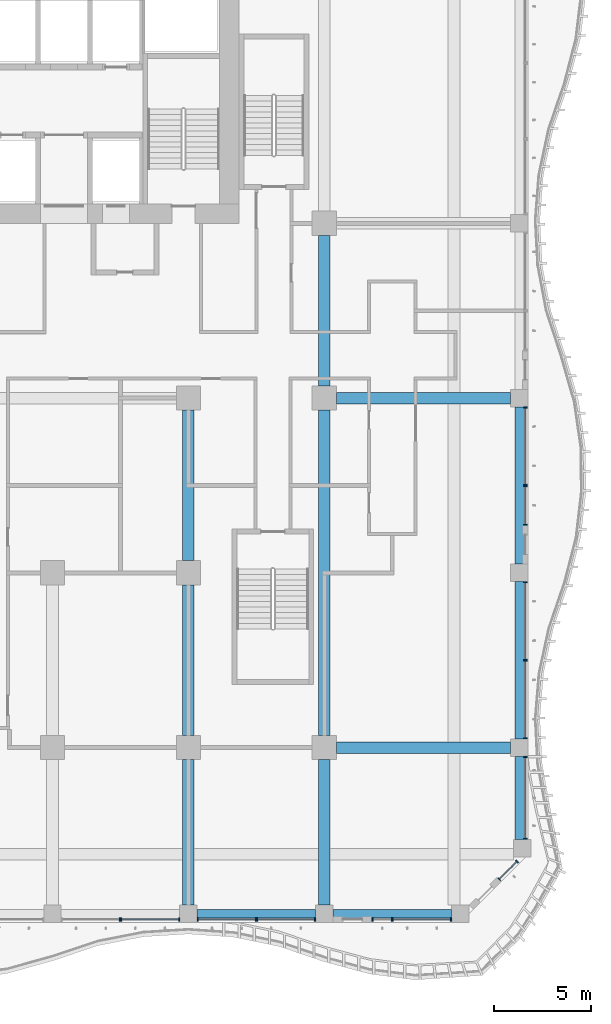
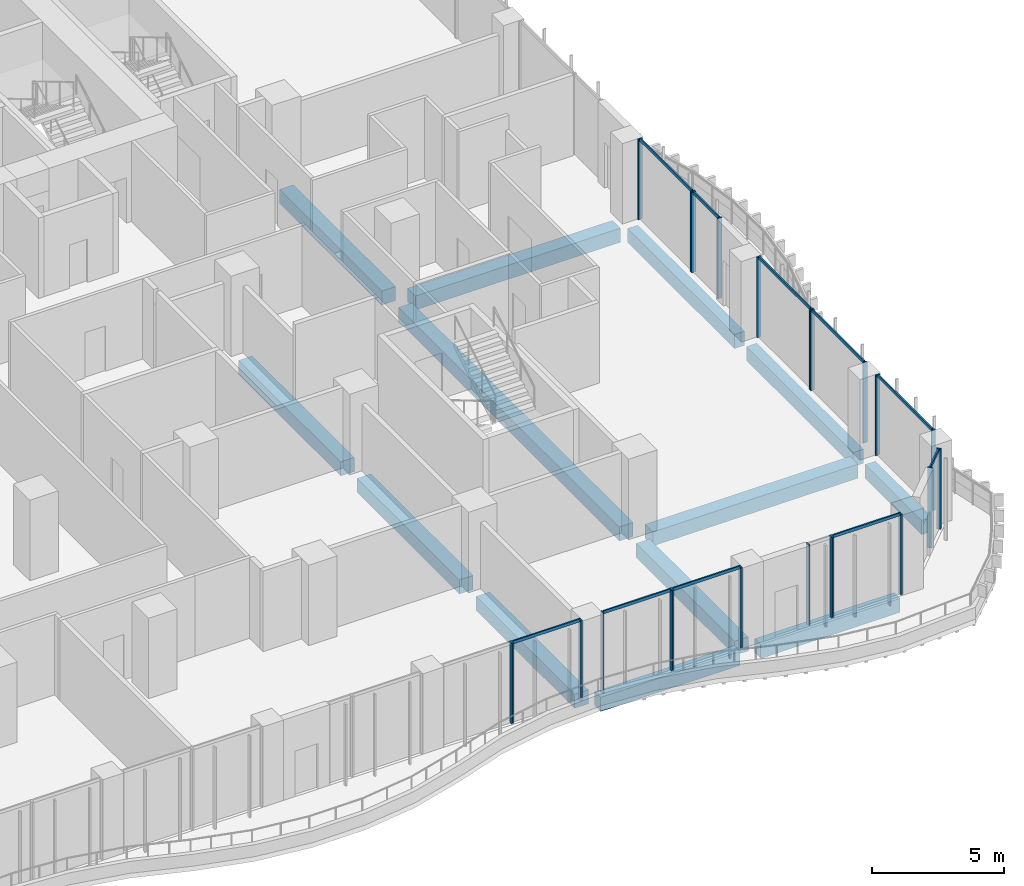
# One storey, part 6 of 28: 33 members, 13 beams, 12 elements without a shape of their own.
"""IFC4 building model written with IfcOpenShell, lengths in metres."""

import ifcopenshell
import ifcopenshell.guid

model = None  # the IFC model being written
_history = None  # IfcOwnerHistory: only IFC2X3 demands one
_inside = {}  # id of a spatial element -> (the spatial element, [elements in it])
_under = {}  # id of a project, library or spatial element -> (it, [spatial elements below it])
_declared = {}  # id of a project -> (the project, [libraries it declares])
_typed = {}  # id of a type object -> (the type object, [elements of that type])
_made_of = {}  # id of a material, layer set ... -> (it, [elements and type objects made of it])


def new_model(schema):
    """Start an empty IFC model of exactly this schema.

    Asked for "IFC4X3", IfcOpenShell would pick the latest addendum, in which some entities
    have other attributes; the version numbers below select the first issue.
    IFC2X3 requires an IfcOwnerHistory on every rooted entity: one is made here for all.
    """
    global model, _history
    if schema == "IFC4X3":
        model = ifcopenshell.file(schema_version=(4, 3, 0, 0))
    else:
        model = ifcopenshell.file(schema=schema)
    _inside.clear()
    _under.clear()
    _declared.clear()
    _typed.clear()
    _made_of.clear()
    _history = None
    if model.schema == "IFC2X3":
        org = make("IfcOrganization", Name="unknown")
        user = make(
            "IfcPersonAndOrganization",
            ThePerson=make("IfcPerson", FamilyName="unknown"),
            TheOrganization=org,
        )
        app = make(
            "IfcApplication",
            ApplicationDeveloper=org,
            Version="unknown",
            ApplicationFullName="unknown",
            ApplicationIdentifier="unknown",
        )
        _history = make(
            "IfcOwnerHistory",
            OwningUser=user,
            OwningApplication=app,
            ChangeAction="ADDED",
            CreationDate=0,
        )
    return model


def make(cls, **values):
    """One entity of the class cls with the attributes given. An attribute that is None is left unset."""
    return model.create_entity(
        cls, **{name: value for name, value in values.items() if value is not None}
    )


def rooted(cls, **values):
    """An entity with a GlobalId (a new one), such as an element, a storey or a relation."""
    return make(cls, GlobalId=ifcopenshell.guid.new(), OwnerHistory=_history, **values)


def si_unit(unit_type, name, prefix=None):
    """IfcSIUnit, for example si_unit("LENGTHUNIT", "METRE", prefix="MILLI")."""
    return make("IfcSIUnit", UnitType=unit_type, Prefix=prefix, Name=name)


def assignment(units):
    """IfcUnitAssignment: the units of a project."""
    return None if units is None else make("IfcUnitAssignment", Units=units)


def point(xyz):
    """IfcCartesianPoint."""
    return None if xyz is None else make("IfcCartesianPoint", Coordinates=xyz)


def direction(xyz):
    """IfcDirection."""
    return None if xyz is None else make("IfcDirection", DirectionRatios=xyz)


def frame(location, z_axis=None, x_axis=None):
    """IfcAxis2Placement3D, a coordinate frame: its origin and axes. An axis left out is left unset."""
    return make(
        "IfcAxis2Placement3D",
        Location=point(location),
        Axis=direction(z_axis),
        RefDirection=direction(x_axis),
    )


def frame_2d(location, x_axis=None):
    """IfcAxis2Placement2D, a coordinate frame in the plane: its origin and x axis."""
    return make(
        "IfcAxis2Placement2D", Location=point(location), RefDirection=direction(x_axis)
    )


def origin():
    """The frame at (0, 0, 0) with its axes left unset."""
    return frame((0.0, 0.0, 0.0))


def origin_2d():
    """The frame at (0, 0) in the plane with its x axis left unset."""
    return frame_2d((0.0, 0.0))


def place(relative_to, where):
    """IfcLocalPlacement: puts the frame where relative to a parent placement (None: the world)."""
    return make(
        "IfcLocalPlacement", PlacementRelTo=relative_to, RelativePlacement=where
    )


def context(
    kind, dimensions, precision=None, world=None, true_north=None, identifier=None
):
    """IfcGeometricRepresentationContext, for example the 3D "Model" context."""
    return make(
        "IfcGeometricRepresentationContext",
        ContextIdentifier=identifier,
        ContextType=kind,
        CoordinateSpaceDimension=dimensions,
        Precision=precision,
        WorldCoordinateSystem=world,
        TrueNorth=true_north,
    )


def subcontext(parent, identifier, kind, view, scale=None):
    """IfcGeometricRepresentationSubContext, for example "Body" below "Model"."""
    return make(
        "IfcGeometricRepresentationSubContext",
        ContextIdentifier=identifier,
        ContextType=kind,
        ParentContext=parent,
        TargetScale=scale,
        TargetView=view,
    )


def project(units=None, contexts=None):
    """IfcProject with its units and contexts."""
    return rooted(
        "IfcProject",
        Name="project",
        RepresentationContexts=contexts,
        UnitsInContext=assignment(units),
    )


def spatial(cls, under=None, at=None, **own):
    """A site, building, storey or space (cls), placed at a placement, below another one or the project."""
    s = rooted(cls, ObjectPlacement=at, **own)
    if under is not None:
        _under.setdefault(under.id(), (under, []))[1].append(s)
    return s


def profile(cls, at=None, kind="AREA", **sizes):
    """A parametric profile (cls). Its sizes go by their IFC names, for example OverallWidth=200.0."""
    return make(cls, ProfileType=kind, Position=at, **sizes)


def rectangle(**sizes):
    """IfcRectangleProfileDef."""
    return profile("IfcRectangleProfileDef", **sizes)


def extrude(swept, where, along, depth):
    """IfcExtrudedAreaSolid: the profile swept, set in the frame where, extruded along a direction by depth."""
    return make(
        "IfcExtrudedAreaSolid",
        SweptArea=swept,
        Position=where,
        ExtrudedDirection=direction(along),
        Depth=depth,
    )


def shape(context_of_items, identifier, shape_type, items):
    """IfcShapeRepresentation: the items that make up one representation, for example the "Body"."""
    return make(
        "IfcShapeRepresentation",
        ContextOfItems=context_of_items,
        RepresentationIdentifier=identifier,
        RepresentationType=shape_type,
        Items=items,
    )


def source(mapping_origin, context_of_items, identifier, shape_type, items):
    """IfcRepresentationMap: a shape defined once, which mapped items show again and again."""
    return make(
        "IfcRepresentationMap",
        MappingOrigin=mapping_origin,
        MappedRepresentation=shape(context_of_items, identifier, shape_type, items),
    )


def transform(
    local_origin,
    x_axis=None,
    y_axis=None,
    z_axis=None,
    scale=None,
    scale2=None,
    scale3=None,
    uniform=True,
):
    """IfcCartesianTransformationOperator3D, or its non-uniform kind. x_axis, y_axis, z_axis: its Axis1, 2, 3."""
    if uniform:
        return make(
            "IfcCartesianTransformationOperator3D",
            Axis1=direction(x_axis),
            Axis2=direction(y_axis),
            LocalOrigin=point(local_origin),
            Scale=scale,
            Axis3=direction(z_axis),
        )
    return make(
        "IfcCartesianTransformationOperator3DnonUniform",
        Axis1=direction(x_axis),
        Axis2=direction(y_axis),
        LocalOrigin=point(local_origin),
        Scale=scale,
        Axis3=direction(z_axis),
        Scale2=scale2,
        Scale3=scale3,
    )


def mapped(mapping_source, mapping_target):
    """IfcMappedItem: shows the shape of a source again, moved by a transform."""
    return make(
        "IfcMappedItem", MappingSource=mapping_source, MappingTarget=mapping_target
    )


def material(Name=None, Category=None):
    """IfcMaterial."""
    return make("IfcMaterial", Name=Name, Category=Category)


def material_profile(
    of_material, cross_section, Name=None, Category=None, Priority=None
):
    """IfcMaterialProfile: a cross section and its material."""
    return make(
        "IfcMaterialProfile",
        Name=Name,
        Material=of_material,
        Profile=cross_section,
        Priority=Priority,
        Category=Category,
    )


def profile_set(profiles, Name=None, composite=None):
    """IfcMaterialProfileSet."""
    return make(
        "IfcMaterialProfileSet",
        Name=Name,
        MaterialProfiles=profiles,
        CompositeProfile=composite,
    )


def made_of(thing, what):
    """Note that an element or type object is made of a material, layer set ...; save() writes the relation."""
    if what is not None:
        _made_of.setdefault(what.id(), (what, []))[1].append(thing)
    return thing


def type_object(cls, material=None, **own):
    """A type object (cls), such as IfcWallType, which elements share."""
    return made_of(rooted(cls, **own), material)


def element(
    cls,
    number,
    at=None,
    inside=None,
    cuts=None,
    type_object=None,
    material=None,
    context=None,
    identifier="Body",
    shape_type=None,
    held_by="IfcProductDefinitionShape",
    body=None,
    shapes=None,
    **own,
):
    """One element of the class cls, such as IfcWall. Its Tag is "e" and its number.

    at: its placement. inside: the storey or other place that contains it. cuts: it is an
    opening in that element (IfcRelVoidsElement). A single representation is given by context,
    identifier, shape_type and body (its items); several are given by shapes. held_by: the class
    of the entity that holds the representations. save() writes the other relations.
    """
    e = rooted(cls, Tag="e%d" % number, ObjectPlacement=at, **own)
    if body is not None:
        shapes = [shape(context, identifier, shape_type, body)]
    if shapes is not None:
        e.Representation = make(held_by, Representations=shapes)
    if inside is not None:
        _inside.setdefault(inside.id(), (inside, []))[1].append(e)
    if cuts is not None:
        rooted(
            "IfcRelVoidsElement", RelatingBuildingElement=cuts, RelatedOpeningElement=e
        )
    if type_object is not None:
        _typed.setdefault(type_object.id(), (type_object, []))[1].append(e)
    return made_of(e, material)


def aggregate(whole, parts):
    """IfcRelAggregates: a whole, such as a stair, and the parts it consists of."""
    return rooted("IfcRelAggregates", RelatingObject=whole, RelatedObjects=parts)


def save(model, path):
    """Write the relations noted so far, then the file.

    IfcRelAggregates (storeys below a building ...), IfcRelContainedInSpatialStructure (elements
    in a storey), IfcRelDefinesByType, IfcRelAssociatesMaterial and IfcRelDeclares: one each for
    every whole, place, type object, material and project.
    """
    for whole, parts in _under.values():
        aggregate(whole, parts)
    for where, things in _inside.values():
        rooted(
            "IfcRelContainedInSpatialStructure",
            RelatedElements=things,
            RelatingStructure=where,
        )
    for kind, things in _typed.values():
        rooted("IfcRelDefinesByType", RelatedObjects=things, RelatingType=kind)
    for what, things in _made_of.values():
        rooted("IfcRelAssociatesMaterial", RelatedObjects=things, RelatingMaterial=what)
    for by, libraries in _declared.values():
        rooted("IfcRelDeclares", RelatingContext=by, RelatedDefinitions=libraries)
    model.write(path)


model = new_model("IFC4")

# Units and contexts
model_context = context("Model", 3, precision=1e-05, world=origin(), true_north=direction((0.0, 1.0)))
body_context = subcontext(model_context, "Body", "Model", "MODEL_VIEW")
ifc_project = project(units=[si_unit("LENGTHUNIT", "METRE"), si_unit("AREAUNIT", "SQUARE_METRE"), si_unit("VOLUMEUNIT", "CUBIC_METRE"), si_unit("PLANEANGLEUNIT", "RADIAN"), si_unit("MASSUNIT", "GRAM", prefix="KILO")], contexts=[model_context])

# Site, building, storey
site_placement = place(None, origin())
site = spatial("IfcSite", under=ifc_project, at=site_placement, CompositionType="ELEMENT")
building_placement = place(site_placement, origin())
building = spatial("IfcBuilding", under=site, at=building_placement, Name="Kilnfold Tower and Market Hall", CompositionType="ELEMENT")
storey_placement = place(building_placement, frame((0.0, 0.0, 87.199951171875)))
storey = spatial("IfcBuildingStorey", under=building, at=storey_placement, Name="L20", CompositionType="ELEMENT", Elevation=87.199951171875)

# Beams
ifc_material_1 = material(Name="Concrete C45", Category="concrete")
ifc_material_profile_1 = material_profile(ifc_material_1, rectangle(XDim=0.449951171875, YDim=0.64990234375, at=origin_2d()), Name="RC 450x650")
ifc_profile_set_1 = profile_set([ifc_material_profile_1], Name="Concrete C45")
beam_type_1 = type_object("IfcBeamType", Name="EDGE BEAM 450X650 C45", PredefinedType="BEAM", material=ifc_profile_set_1)
shared_shape_1 = source(origin(), body_context, "Body", "SweptSolid", [
    extrude(rectangle(XDim=0.449951171875, YDim=0.64990234375, at=origin_2d()), origin(), (0.0, 0.0, 1.0), 6.10009765625),
])
for number, where, z_axis, x_axis, name in (
    (1, (15.949951171875, -27.550048828125, -0.60498046875), (1.0, 0.0, 0.0), (0.0, 1.0, 0.0), "Beam EB650-B2.65"),
    (2, (22.949951171875, -27.550048828125, -0.60498046875), (1.0, 0.0, 0.0), (0.0, 1.0, 0.0), "Beam EB650-B2.66"),
):
    element("IfcBeam", number, at=place(storey_placement, frame(where, z_axis=z_axis, x_axis=x_axis)), inside=storey, type_object=beam_type_1, Name=name, PredefinedType="BEAM", context=body_context, shape_type="MappedRepresentation", body=[
        mapped(shared_shape_1, transform((0.0, 0.0, 0.0))),
    ])
shared_shape_2 = source(origin(), body_context, "Body", "SweptSolid", [
    extrude(rectangle(XDim=0.449951171875, YDim=0.64990234375, at=origin_2d()), origin(), (0.0, 0.0, 1.0), 8.10009765625),
])
for number, where, z_axis, x_axis, name in (
    (3, (32.550048828125, -18.550048828125, -0.60498046875), (0.0, 1.0, 0.0), (-1.0, 0.0, 0.0), "Beam EB650-B2.100"),
    (4, (32.550048828125, -9.550048828125, -0.60498046875), (0.0, 1.0, 0.0), (-1.0, 0.0, 0.0), "Beam EB650-B2.101"),
):
    element("IfcBeam", number, at=place(storey_placement, frame(where, z_axis=z_axis, x_axis=x_axis)), inside=storey, type_object=beam_type_1, Name=name, PredefinedType="BEAM", context=body_context, shape_type="MappedRepresentation", body=[
        mapped(shared_shape_2, transform((0.0, 0.0, 0.0))),
    ])
shared_shape_3 = source(origin(), body_context, "Body", "SweptSolid", [
    extrude(rectangle(XDim=0.449951171875, YDim=0.64990234375, at=origin_2d()), origin(), (0.0, 0.0, 1.0), 4.28173828125),
])
beam_1_placement = place(storey_placement, frame((32.550048828125, -23.731689453125, -0.60498046875), z_axis=(0.0, 1.0, 0.0), x_axis=(-1.0, 0.0, 0.0)))
element("IfcBeam", 5, at=beam_1_placement, inside=storey, type_object=beam_type_1, Name="Beam EB650-B2.99", PredefinedType="BEAM", context=body_context, shape_type="MappedRepresentation", body=[
    mapped(shared_shape_3, transform((0.0, 0.0, 0.0))),
])
ifc_material_2 = material(Name="Concrete C45", Category="concrete")
ifc_material_profile_2 = material_profile(ifc_material_2, rectangle(XDim=0.60009765625, YDim=0.64990234375, at=origin_2d()), Name="RC 600x650")
ifc_profile_set_2 = profile_set([ifc_material_profile_2], Name="Concrete C45")
beam_type_2 = type_object("IfcBeamType", Name="BEAM 600X650 C45", PredefinedType="BEAM", material=ifc_profile_set_2)
shared_shape_4 = source(origin(), body_context, "Body", "SweptSolid", [
    extrude(rectangle(XDim=0.60009765625, YDim=0.64990234375, at=origin_2d()), origin(), (0.0, 0.0, 1.0), 8.97509765625),
])
for number, where, z_axis, x_axis, name in (
    (6, (23.125, -19.0, -0.60498046875), (1.0, 0.0, 0.0), (0.0, 1.0, 0.0), "Beam BB650-B2.69"),
    (7, (23.125, -1.0, -0.60498046875), (1.0, 0.0, 0.0), (0.0, 1.0, 0.0), "Beam BB650-B2.72"),
):
    element("IfcBeam", number, at=place(storey_placement, frame(where, z_axis=z_axis, x_axis=x_axis)), inside=storey, type_object=beam_type_2, Name=name, PredefinedType="BEAM", context=body_context, shape_type="MappedRepresentation", body=[
        mapped(shared_shape_4, transform((0.0, 0.0, 0.0))),
    ])
shared_shape_5 = source(origin(), body_context, "Body", "SweptSolid", [
    extrude(rectangle(XDim=0.60009765625, YDim=0.64990234375, at=origin_2d()), origin(), (0.0, 0.0, 1.0), 7.47509765625),
])
for number, where, z_axis, x_axis, name in (
    (8, (15.5, -27.10009765625, -0.60498046875), (0.0, 1.0, 0.0), (-1.0, 0.0, 0.0), "Beam BB650-B2.91"),
    (9, (22.5, -27.10009765625, -0.60498046875), (0.0, 1.0, 0.0), (-1.0, 0.0, 0.0), "Beam BB650-B2.94"),
):
    element("IfcBeam", number, at=place(storey_placement, frame(where, z_axis=z_axis, x_axis=x_axis)), inside=storey, type_object=beam_type_2, Name=name, PredefinedType="BEAM", context=body_context, shape_type="MappedRepresentation", body=[
        mapped(shared_shape_5, transform((0.0, 0.0, 0.0))),
    ])
shared_shape_6 = source(origin(), body_context, "Body", "SweptSolid", [
    extrude(rectangle(XDim=0.60009765625, YDim=0.64990234375, at=origin_2d()), origin(), (0.0, 0.0, 1.0), 7.75),
])
for number, where, z_axis, x_axis, name in (
    (10, (15.5, -18.375, -0.60498046875), (0.0, 1.0, 0.0), (-1.0, 0.0, 0.0), "Beam BB650-B2.92"),
    (11, (15.5, -9.375, -0.60498046875), (0.0, 1.0, 0.0), (-1.0, 0.0, 0.0), "Beam BB650-B2.93"),
    (12, (22.5, -0.375, -0.60498046875), (0.0, 1.0, 0.0), (-1.0, 0.0, 0.0), "Beam BB650-B2.96"),
):
    element("IfcBeam", number, at=place(storey_placement, frame(where, z_axis=z_axis, x_axis=x_axis)), inside=storey, type_object=beam_type_2, Name=name, PredefinedType="BEAM", context=body_context, shape_type="MappedRepresentation", body=[
        mapped(shared_shape_6, transform((0.0, 0.0, 0.0))),
    ])
shared_shape_7 = source(origin(), body_context, "Body", "SweptSolid", [
    extrude(rectangle(XDim=0.60009765625, YDim=0.64990234375, at=origin_2d()), origin(), (0.0, 0.0, 1.0), 16.75),
])
beam_2_placement = place(storey_placement, frame((22.5, -18.375, -0.60498046875), z_axis=(0.0, 1.0, 0.0), x_axis=(-1.0, 0.0, 0.0)))
element("IfcBeam", 13, at=beam_2_placement, inside=storey, type_object=beam_type_2, Name="Beam BB650-B2.95", PredefinedType="BEAM", context=body_context, shape_type="MappedRepresentation", body=[
    mapped(shared_shape_7, transform((0.0, 0.0, 0.0))),
])

# Curtain wall, member
ifc_material_3 = material(Name="Aluminium and double glazing", Category="aluminium")
curtain_wall_type = type_object("IfcCurtainWallType", Name="CW OF1 VALLEY GLAZING", PredefinedType="NOTDEFINED", material=ifc_material_3)
curtain_wall_1_placement = place(storey_placement, origin())
curtain_wall_1 = element("IfcCurtainWall", 14, at=curtain_wall_1_placement, inside=storey, type_object=curtain_wall_type, Name="Curtain wall CW1 L20 S", PredefinedType="NOTDEFINED")
ifc_material_4 = material(Name="Aluminium", Category="aluminium")
ifc_material_profile_3 = material_profile(ifc_material_4, rectangle(XDim=0.06005859375, YDim=0.179931640625, at=origin_2d()), Name="MULLION 60x180")
ifc_profile_set_3 = profile_set([ifc_material_profile_3], Name="Aluminium")
member_type_1 = type_object("IfcMemberType", Name="MULLION 60X180", PredefinedType="MULLION", material=ifc_profile_set_3)
shared_shape_8 = source(origin(), body_context, "Body", "SweptSolid", [
    extrude(rectangle(XDim=0.06005859375, YDim=0.179931640625, at=origin_2d()), origin(), (0.0, 0.0, 1.0), 3.719970703125),
])
member_1_placement = place(storey_placement, frame((11.969970703125, -27.85009765625, 0.0), z_axis=(0.0, 0.0, 1.0), x_axis=(1.0, 0.0, 0.0)))
member_1 = element("IfcMember", 15, at=member_1_placement, type_object=member_type_1, Name="CW1 mullion 2", PredefinedType="MULLION", context=body_context, shape_type="MappedRepresentation", body=[
    mapped(shared_shape_8, transform((0.0, 0.0, 0.0))),
])
aggregate(curtain_wall_1, [member_1])

# Curtain wall, members
curtain_wall_2_placement = place(storey_placement, origin())
curtain_wall_2 = element("IfcCurtainWall", 16, at=curtain_wall_2_placement, inside=storey, type_object=curtain_wall_type, Name="Curtain wall CW1 L20 S", PredefinedType="NOTDEFINED")
member_2_placement = place(storey_placement, frame((12.030029296875, -27.85009765625, 0.0), z_axis=(0.0, 0.0, 1.0), x_axis=(1.0, 0.0, 0.0)))
member_2 = element("IfcMember", 17, at=member_2_placement, type_object=member_type_1, Name="CW1 mullion 1", PredefinedType="MULLION", context=body_context, shape_type="MappedRepresentation", body=[
    mapped(shared_shape_8, transform((0.0, 0.0, 0.0))),
])
member_3_placement = place(storey_placement, frame((15.02001953125, -27.85009765625, 0.0), z_axis=(0.0, 0.0, 1.0), x_axis=(1.0, 0.0, 0.0)))
member_3 = element("IfcMember", 18, at=member_3_placement, type_object=member_type_1, Name="CW1 mullion 2", PredefinedType="MULLION", context=body_context, shape_type="MappedRepresentation", body=[
    mapped(shared_shape_8, transform((0.0, 0.0, 0.0))),
])

curtain_wall_3_placement = place(storey_placement, origin())
curtain_wall_3 = element("IfcCurtainWall", 19, at=curtain_wall_3_placement, inside=storey, type_object=curtain_wall_type, Name="Curtain wall CW1 L20 S", PredefinedType="NOTDEFINED")
member_4_placement = place(storey_placement, frame((15.97998046875, -27.85009765625, 0.0), z_axis=(0.0, 0.0, 1.0), x_axis=(1.0, 0.0, 0.0)))
member_4 = element("IfcMember", 20, at=member_4_placement, type_object=member_type_1, Name="CW1 mullion 1", PredefinedType="MULLION", context=body_context, shape_type="MappedRepresentation", body=[
    mapped(shared_shape_8, transform((0.0, 0.0, 0.0))),
])
member_5_placement = place(storey_placement, frame((18.969970703125, -27.85009765625, 0.0), z_axis=(0.0, 0.0, 1.0), x_axis=(1.0, 0.0, 0.0)))
member_5 = element("IfcMember", 21, at=member_5_placement, type_object=member_type_1, Name="CW1 mullion 2", PredefinedType="MULLION", context=body_context, shape_type="MappedRepresentation", body=[
    mapped(shared_shape_8, transform((0.0, 0.0, 0.0))),
])

curtain_wall_4_placement = place(storey_placement, origin())
curtain_wall_4 = element("IfcCurtainWall", 22, at=curtain_wall_4_placement, inside=storey, type_object=curtain_wall_type, Name="Curtain wall CW1 L20 S", PredefinedType="NOTDEFINED")
member_6_placement = place(storey_placement, frame((19.030029296875, -27.85009765625, 0.0), z_axis=(0.0, 0.0, 1.0), x_axis=(1.0, 0.0, 0.0)))
member_6 = element("IfcMember", 23, at=member_6_placement, type_object=member_type_1, Name="CW1 mullion 1", PredefinedType="MULLION", context=body_context, shape_type="MappedRepresentation", body=[
    mapped(shared_shape_8, transform((0.0, 0.0, 0.0))),
])
member_7_placement = place(storey_placement, frame((22.02001953125, -27.85009765625, 0.0), z_axis=(0.0, 0.0, 1.0), x_axis=(1.0, 0.0, 0.0)))
member_7 = element("IfcMember", 24, at=member_7_placement, type_object=member_type_1, Name="CW1 mullion 2", PredefinedType="MULLION", context=body_context, shape_type="MappedRepresentation", body=[
    mapped(shared_shape_8, transform((0.0, 0.0, 0.0))),
])

curtain_wall_5_placement = place(storey_placement, origin())
curtain_wall_5 = element("IfcCurtainWall", 25, at=curtain_wall_5_placement, inside=storey, type_object=curtain_wall_type, Name="Curtain wall CW1 L20 S", PredefinedType="NOTDEFINED")
member_8_placement = place(storey_placement, frame((24.97998046875, -27.85009765625, 0.0), z_axis=(0.0, 0.0, 1.0), x_axis=(1.0, 0.0, 0.0)))
member_8 = element("IfcMember", 26, at=member_8_placement, type_object=member_type_1, Name="CW1 mullion 1", PredefinedType="MULLION", context=body_context, shape_type="MappedRepresentation", body=[
    mapped(shared_shape_8, transform((0.0, 0.0, 0.0))),
])
member_9_placement = place(storey_placement, frame((25.969970703125, -27.85009765625, 0.0), z_axis=(0.0, 0.0, 1.0), x_axis=(1.0, 0.0, 0.0)))
member_9 = element("IfcMember", 27, at=member_9_placement, type_object=member_type_1, Name="CW1 mullion 2", PredefinedType="MULLION", context=body_context, shape_type="MappedRepresentation", body=[
    mapped(shared_shape_8, transform((0.0, 0.0, 0.0))),
])
aggregate(curtain_wall_5, [member_8, member_9])

curtain_wall_6_placement = place(storey_placement, origin())
curtain_wall_6 = element("IfcCurtainWall", 28, at=curtain_wall_6_placement, inside=storey, type_object=curtain_wall_type, Name="Curtain wall CW1 L20 S", PredefinedType="NOTDEFINED")
member_10_placement = place(storey_placement, frame((26.030029296875, -27.85009765625, 0.0), z_axis=(0.0, 0.0, 1.0), x_axis=(1.0, 0.0, 0.0)))
member_10 = element("IfcMember", 29, at=member_10_placement, type_object=member_type_1, Name="CW1 mullion 1", PredefinedType="MULLION", context=body_context, shape_type="MappedRepresentation", body=[
    mapped(shared_shape_8, transform((0.0, 0.0, 0.0))),
])
member_11_placement = place(storey_placement, frame((29.02001953125, -27.85009765625, 0.0), z_axis=(0.0, 0.0, 1.0), x_axis=(1.0, 0.0, 0.0)))
member_11 = element("IfcMember", 30, at=member_11_placement, type_object=member_type_1, Name="CW1 mullion 2", PredefinedType="MULLION", context=body_context, shape_type="MappedRepresentation", body=[
    mapped(shared_shape_8, transform((0.0, 0.0, 0.0))),
])

curtain_wall_7_placement = place(storey_placement, origin())
curtain_wall_7 = element("IfcCurtainWall", 31, at=curtain_wall_7_placement, inside=storey, type_object=curtain_wall_type, Name="Curtain wall CW1 L20 SE", PredefinedType="NOTDEFINED")
member_12_placement = place(storey_placement, frame((31.50439453125, -25.783447265625, 0.0), z_axis=(0.0, 0.0, 1.0), x_axis=(0.707106781187, 0.707106781187, 0.0)))
member_12 = element("IfcMember", 32, at=member_12_placement, type_object=member_type_1, Name="CW1 mullion 1", PredefinedType="MULLION", context=body_context, shape_type="MappedRepresentation", body=[
    mapped(shared_shape_8, transform((0.0, 0.0, 0.0))),
])
member_13_placement = place(storey_placement, frame((32.4228515625, -24.865234375, 0.0), z_axis=(0.0, 0.0, 1.0), x_axis=(0.707106781187, 0.707106781187, 0.0)))
member_13 = element("IfcMember", 33, at=member_13_placement, type_object=member_type_1, Name="CW1 mullion 2", PredefinedType="MULLION", context=body_context, shape_type="MappedRepresentation", body=[
    mapped(shared_shape_8, transform((0.0, 0.0, 0.0))),
])

curtain_wall_8_placement = place(storey_placement, origin())
curtain_wall_8 = element("IfcCurtainWall", 34, at=curtain_wall_8_placement, inside=storey, type_object=curtain_wall_type, Name="Curtain wall CW1 L20 E", PredefinedType="NOTDEFINED")
member_14_placement = place(storey_placement, frame((32.85009765625, -23.701904296875, 0.0), z_axis=(0.0, 0.0, 1.0), x_axis=(0.0, 1.0, 0.0)))
member_14 = element("IfcMember", 35, at=member_14_placement, type_object=member_type_1, Name="CW1 mullion 1", PredefinedType="MULLION", context=body_context, shape_type="MappedRepresentation", body=[
    mapped(shared_shape_8, transform((0.0, 0.0, 0.0))),
])
member_15_placement = place(storey_placement, frame((32.85009765625, -19.47998046875, 0.0), z_axis=(0.0, 0.0, 1.0), x_axis=(0.0, 1.0, 0.0)))
member_15 = element("IfcMember", 36, at=member_15_placement, type_object=member_type_1, Name="CW1 mullion 2", PredefinedType="MULLION", context=body_context, shape_type="MappedRepresentation", body=[
    mapped(shared_shape_8, transform((0.0, 0.0, 0.0))),
])

curtain_wall_9_placement = place(storey_placement, origin())
curtain_wall_9 = element("IfcCurtainWall", 37, at=curtain_wall_9_placement, inside=storey, type_object=curtain_wall_type, Name="Curtain wall CW1 L20 E", PredefinedType="NOTDEFINED")
member_16_placement = place(storey_placement, frame((32.85009765625, -18.52001953125, 0.0), z_axis=(0.0, 0.0, 1.0), x_axis=(0.0, 1.0, 0.0)))
member_16 = element("IfcMember", 38, at=member_16_placement, type_object=member_type_1, Name="CW1 mullion 1", PredefinedType="MULLION", context=body_context, shape_type="MappedRepresentation", body=[
    mapped(shared_shape_8, transform((0.0, 0.0, 0.0))),
])
member_17_placement = place(storey_placement, frame((32.85009765625, -14.530029296875, 0.0), z_axis=(0.0, 0.0, 1.0), x_axis=(0.0, 1.0, 0.0)))
member_17 = element("IfcMember", 39, at=member_17_placement, type_object=member_type_1, Name="CW1 mullion 2", PredefinedType="MULLION", context=body_context, shape_type="MappedRepresentation", body=[
    mapped(shared_shape_8, transform((0.0, 0.0, 0.0))),
])

curtain_wall_10_placement = place(storey_placement, origin())
curtain_wall_10 = element("IfcCurtainWall", 40, at=curtain_wall_10_placement, inside=storey, type_object=curtain_wall_type, Name="Curtain wall CW1 L20 E", PredefinedType="NOTDEFINED")
member_18_placement = place(storey_placement, frame((32.85009765625, -14.469970703125, 0.0), z_axis=(0.0, 0.0, 1.0), x_axis=(0.0, 1.0, 0.0)))
member_18 = element("IfcMember", 41, at=member_18_placement, type_object=member_type_1, Name="CW1 mullion 1", PredefinedType="MULLION", context=body_context, shape_type="MappedRepresentation", body=[
    mapped(shared_shape_8, transform((0.0, 0.0, 0.0))),
])
member_19_placement = place(storey_placement, frame((32.85009765625, -10.47998046875, 0.0), z_axis=(0.0, 0.0, 1.0), x_axis=(0.0, 1.0, 0.0)))
member_19 = element("IfcMember", 42, at=member_19_placement, type_object=member_type_1, Name="CW1 mullion 2", PredefinedType="MULLION", context=body_context, shape_type="MappedRepresentation", body=[
    mapped(shared_shape_8, transform((0.0, 0.0, 0.0))),
])

curtain_wall_11_placement = place(storey_placement, origin())
curtain_wall_11 = element("IfcCurtainWall", 43, at=curtain_wall_11_placement, inside=storey, type_object=curtain_wall_type, Name="Curtain wall CW1 L20 E", PredefinedType="NOTDEFINED")
member_20_placement = place(storey_placement, frame((32.85009765625, -7.52001953125, 0.0), z_axis=(0.0, 0.0, 1.0), x_axis=(0.0, 1.0, 0.0)))
member_20 = element("IfcMember", 44, at=member_20_placement, type_object=member_type_1, Name="CW1 mullion 1", PredefinedType="MULLION", context=body_context, shape_type="MappedRepresentation", body=[
    mapped(shared_shape_8, transform((0.0, 0.0, 0.0))),
])
member_21_placement = place(storey_placement, frame((32.85009765625, -5.530029296875, 0.0), z_axis=(0.0, 0.0, 1.0), x_axis=(0.0, 1.0, 0.0)))
member_21 = element("IfcMember", 45, at=member_21_placement, type_object=member_type_1, Name="CW1 mullion 2", PredefinedType="MULLION", context=body_context, shape_type="MappedRepresentation", body=[
    mapped(shared_shape_8, transform((0.0, 0.0, 0.0))),
])

curtain_wall_12_placement = place(storey_placement, origin())
curtain_wall_12 = element("IfcCurtainWall", 46, at=curtain_wall_12_placement, inside=storey, type_object=curtain_wall_type, Name="Curtain wall CW1 L20 E", PredefinedType="NOTDEFINED")
member_22_placement = place(storey_placement, frame((32.85009765625, -5.469970703125, 0.0), z_axis=(0.0, 0.0, 1.0), x_axis=(0.0, 1.0, 0.0)))
member_22 = element("IfcMember", 47, at=member_22_placement, type_object=member_type_1, Name="CW1 mullion 1", PredefinedType="MULLION", context=body_context, shape_type="MappedRepresentation", body=[
    mapped(shared_shape_8, transform((0.0, 0.0, 0.0))),
])
member_23_placement = place(storey_placement, frame((32.85009765625, -1.47998046875, 0.0), z_axis=(0.0, 0.0, 1.0), x_axis=(0.0, 1.0, 0.0)))
member_23 = element("IfcMember", 48, at=member_23_placement, type_object=member_type_1, Name="CW1 mullion 2", PredefinedType="MULLION", context=body_context, shape_type="MappedRepresentation", body=[
    mapped(shared_shape_8, transform((0.0, 0.0, 0.0))),
])

# Member
ifc_material_5 = material(Name="Aluminium", Category="aluminium")
ifc_material_profile_4 = material_profile(ifc_material_5, rectangle(XDim=0.06005859375, YDim=0.139892578125, at=origin_2d()), Name="TRANSOM 60x140")
ifc_profile_set_4 = profile_set([ifc_material_profile_4], Name="Aluminium")
member_type_2 = type_object("IfcMemberType", Name="TRANSOM 60X140", PredefinedType="USERDEFINED", material=ifc_profile_set_4)
shared_shape_9 = source(origin(), body_context, "Body", "SweptSolid", [
    extrude(rectangle(XDim=0.06005859375, YDim=0.139892578125, at=origin_2d()), origin(), (0.0, 0.0, 1.0), 2.929931640625),
])
member_24_placement = place(storey_placement, frame((12.06005859375, -27.85009765625, 3.68994140625), z_axis=(1.0, 0.0, 0.0), x_axis=(0.0, 1.0, 0.0)))
member_24 = element("IfcMember", 49, at=member_24_placement, type_object=member_type_2, Name="CW1 transom 1.2", ObjectType="TRANSOM", PredefinedType="USERDEFINED", context=body_context, shape_type="MappedRepresentation", body=[
    mapped(shared_shape_9, transform((0.0, 0.0, 0.0))),
])

aggregate(curtain_wall_2, [member_2, member_3, member_24])

member_25_placement = place(storey_placement, frame((16.010009765625, -27.85009765625, 3.68994140625), z_axis=(1.0, 0.0, 0.0), x_axis=(0.0, 1.0, 0.0)))
member_25 = element("IfcMember", 50, at=member_25_placement, type_object=member_type_2, Name="CW1 transom 1.2", ObjectType="TRANSOM", PredefinedType="USERDEFINED", context=body_context, shape_type="MappedRepresentation", body=[
    mapped(shared_shape_9, transform((0.0, 0.0, 0.0))),
])

aggregate(curtain_wall_3, [member_4, member_5, member_25])

member_26_placement = place(storey_placement, frame((19.06005859375, -27.85009765625, 3.68994140625), z_axis=(1.0, 0.0, 0.0), x_axis=(0.0, 1.0, 0.0)))
member_26 = element("IfcMember", 51, at=member_26_placement, type_object=member_type_2, Name="CW1 transom 1.2", ObjectType="TRANSOM", PredefinedType="USERDEFINED", context=body_context, shape_type="MappedRepresentation", body=[
    mapped(shared_shape_9, transform((0.0, 0.0, 0.0))),
])

aggregate(curtain_wall_4, [member_6, member_7, member_26])

member_27_placement = place(storey_placement, frame((26.06005859375, -27.85009765625, 3.68994140625), z_axis=(1.0, 0.0, 0.0), x_axis=(0.0, 1.0, 0.0)))
member_27 = element("IfcMember", 52, at=member_27_placement, type_object=member_type_2, Name="CW1 transom 1.2", ObjectType="TRANSOM", PredefinedType="USERDEFINED", context=body_context, shape_type="MappedRepresentation", body=[
    mapped(shared_shape_9, transform((0.0, 0.0, 0.0))),
])

aggregate(curtain_wall_6, [member_10, member_11, member_27])

shared_shape_10 = source(origin(), body_context, "Body", "SweptSolid", [
    extrude(rectangle(XDim=0.06005859375, YDim=0.139892578125, at=origin_2d()), origin(), (0.0, 0.0, 1.0), 1.23876953125),
])
member_28_placement = place(storey_placement, frame((31.525634765625, -25.76220703125, 3.68994140625), z_axis=(0.707106781187, 0.707106781187, 0.0), x_axis=(-0.707106781187, 0.707106781187, 0.0)))
member_28 = element("IfcMember", 53, at=member_28_placement, type_object=member_type_2, Name="CW1 transom 1.2", ObjectType="TRANSOM", PredefinedType="USERDEFINED", context=body_context, shape_type="MappedRepresentation", body=[
    mapped(shared_shape_10, transform((0.0, 0.0, 0.0))),
])

aggregate(curtain_wall_7, [member_12, member_13, member_28])

shared_shape_11 = source(origin(), body_context, "Body", "SweptSolid", [
    extrude(rectangle(XDim=0.06005859375, YDim=0.139892578125, at=origin_2d()), origin(), (0.0, 0.0, 1.0), 3.929931640625),
])
member_29_placement = place(storey_placement, frame((32.85009765625, -18.489990234375, 3.68994140625), z_axis=(0.0, 1.0, 0.0), x_axis=(-1.0, 0.0, 0.0)))
member_29 = element("IfcMember", 54, at=member_29_placement, type_object=member_type_2, Name="CW1 transom 1.2", ObjectType="TRANSOM", PredefinedType="USERDEFINED", context=body_context, shape_type="MappedRepresentation", body=[
    mapped(shared_shape_11, transform((0.0, 0.0, 0.0))),
])

aggregate(curtain_wall_9, [member_16, member_17, member_29])

member_30_placement = place(storey_placement, frame((32.85009765625, -14.43994140625, 3.68994140625), z_axis=(0.0, 1.0, 0.0), x_axis=(-1.0, 0.0, 0.0)))
member_30 = element("IfcMember", 55, at=member_30_placement, type_object=member_type_2, Name="CW1 transom 1.2", ObjectType="TRANSOM", PredefinedType="USERDEFINED", context=body_context, shape_type="MappedRepresentation", body=[
    mapped(shared_shape_11, transform((0.0, 0.0, 0.0))),
])

aggregate(curtain_wall_10, [member_18, member_19, member_30])

member_31_placement = place(storey_placement, frame((32.85009765625, -5.43994140625, 3.68994140625), z_axis=(0.0, 1.0, 0.0), x_axis=(-1.0, 0.0, 0.0)))
member_31 = element("IfcMember", 56, at=member_31_placement, type_object=member_type_2, Name="CW1 transom 1.2", ObjectType="TRANSOM", PredefinedType="USERDEFINED", context=body_context, shape_type="MappedRepresentation", body=[
    mapped(shared_shape_11, transform((0.0, 0.0, 0.0))),
])

aggregate(curtain_wall_12, [member_22, member_23, member_31])

shared_shape_12 = source(origin(), body_context, "Body", "SweptSolid", [
    extrude(rectangle(XDim=0.06005859375, YDim=0.139892578125, at=origin_2d()), origin(), (0.0, 0.0, 1.0), 1.929931640625),
])
member_32_placement = place(storey_placement, frame((32.85009765625, -7.489990234375, 3.68994140625), z_axis=(0.0, 1.0, 0.0), x_axis=(-1.0, 0.0, 0.0)))
member_32 = element("IfcMember", 57, at=member_32_placement, type_object=member_type_2, Name="CW1 transom 1.2", ObjectType="TRANSOM", PredefinedType="USERDEFINED", context=body_context, shape_type="MappedRepresentation", body=[
    mapped(shared_shape_12, transform((0.0, 0.0, 0.0))),
])

aggregate(curtain_wall_11, [member_20, member_21, member_32])

shared_shape_13 = source(origin(), body_context, "Body", "SweptSolid", [
    extrude(rectangle(XDim=0.06005859375, YDim=0.139892578125, at=origin_2d()), origin(), (0.0, 0.0, 1.0), 4.161865234375),
])
member_33_placement = place(storey_placement, frame((32.85009765625, -23.671875, 3.68994140625), z_axis=(0.0, 1.0, 0.0), x_axis=(-1.0, 0.0, 0.0)))
member_33 = element("IfcMember", 58, at=member_33_placement, type_object=member_type_2, Name="CW1 transom 1.2", ObjectType="TRANSOM", PredefinedType="USERDEFINED", context=body_context, shape_type="MappedRepresentation", body=[
    mapped(shared_shape_13, transform((0.0, 0.0, 0.0))),
])

aggregate(curtain_wall_8, [member_14, member_15, member_33])

save(model, "model.ifc")
